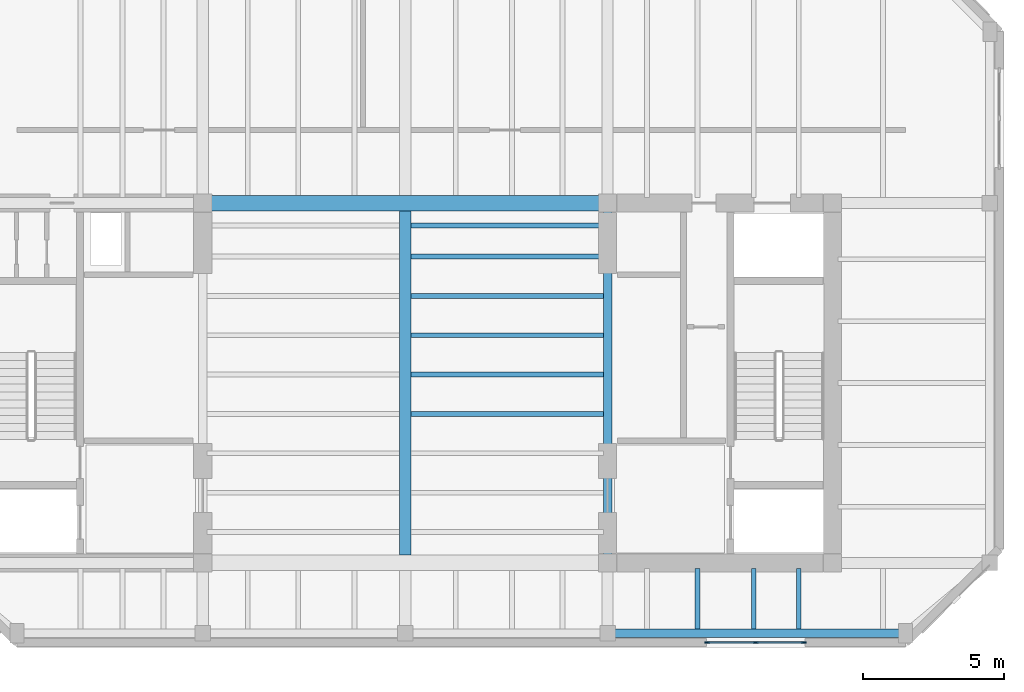
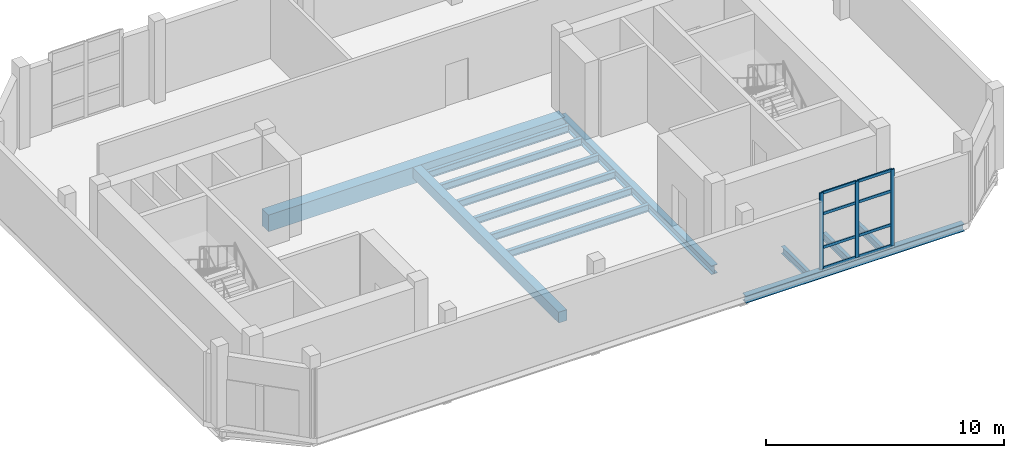
# One storey, part 2 of 8: 13 beams, 11 members, 1 element without a shape of its own.
"""IFC4 building model written with IfcOpenShell, lengths in metres."""

from ifc_helpers import new_model, si_unit, direction, frame, origin, origin_2d, place, context, subcontext, project, spatial, rectangle, i_section, extrude, material, layer, layer_set, material_profile, profile_set, type_object, element, aggregate, save


model = new_model("IFC4")

# Units and contexts
model_context = context("Model", 3, precision=1e-05, world=origin(), true_north=direction((0.0, 1.0)))
body_context = subcontext(model_context, "Body", "Model", "MODEL_VIEW")
ifc_project = project(units=[si_unit("LENGTHUNIT", "METRE"), si_unit("AREAUNIT", "SQUARE_METRE"), si_unit("VOLUMEUNIT", "CUBIC_METRE"), si_unit("PLANEANGLEUNIT", "RADIAN"), si_unit("MASSUNIT", "GRAM", prefix="KILO")], contexts=[model_context])

# Site, building, storey
site_placement = place(None, origin())
site = spatial("IfcSite", under=ifc_project, at=site_placement, CompositionType="ELEMENT")
building_placement = place(site_placement, origin())
building = spatial("IfcBuilding", under=site, at=building_placement, Name="Kranthara Brick Stack", CompositionType="ELEMENT")
storey_placement = place(building_placement, frame((0.0, 0.0, 300.60009765625)))
storey = spatial("IfcBuildingStorey", under=building, at=storey_placement, Name="L79", CompositionType="ELEMENT", Elevation=300.60009765625)

# Beams
ifc_material_1 = material(Name="Concrete C50/60", Category="concrete")
ifc_material_profile_1 = material_profile(ifc_material_1, rectangle(XDim=0.550048828125, YDim=0.85009765625, at=origin_2d()), Name="RC 550x850")
ifc_profile_set_1 = profile_set([ifc_material_profile_1], Name="Concrete C50/60")
beam_type_1 = type_object("IfcBeamType", Name="BM-CPL-RC850", PredefinedType="LINTEL", material=ifc_profile_set_1)
beam_1_placement = place(storey_placement, frame((20.800048828125, 33.60009765625, -0.705078125), z_axis=(1.0, 0.0, 0.0), x_axis=(0.0, 1.0, 0.0)))
element("IfcBeam", 1, at=beam_1_placement, inside=storey, type_object=beam_type_1, Name="L79 Core Coupling Beam 002", PredefinedType="LINTEL", context=body_context, shape_type="SweptSolid", body=[
    extrude(rectangle(XDim=0.550048828125, YDim=0.85009765625, at=origin_2d()), origin(), (0.0, 0.0, 1.0), 14.39990234375),
])
ifc_material_2 = material(Name="Post-tensioned concrete C45/55", Category="concrete")
ifc_material_profile_2 = material_profile(ifc_material_2, rectangle(XDim=0.39990234375, YDim=0.550048828125, at=origin_2d()), Name="PT 400x550")
ifc_profile_set_2 = profile_set([ifc_material_profile_2], Name="Post-tensioned concrete C45/55")
beam_type_2 = type_object("IfcBeamType", Name="BM-FLR-PT550", PredefinedType="BEAM", material=ifc_profile_set_2)
beam_2_placement = place(storey_placement, frame((28.0, 21.074951171875, -0.55517578125), z_axis=(0.0, 1.0, 0.0), x_axis=(-1.0, 0.0, 0.0)))
element("IfcBeam", 2, at=beam_2_placement, inside=storey, type_object=beam_type_2, Name="L79 Central Spine Girder 024", PredefinedType="BEAM", context=body_context, shape_type="SweptSolid", body=[
    extrude(rectangle(XDim=0.39990234375, YDim=0.550048828125, at=origin_2d()), origin(), (0.0, 0.0, 1.0), 12.25),
])
ifc_material_3 = material(Name="Steel S355", Category="steel")
ifc_material_profile_3 = material_profile(ifc_material_3, i_section(OverallWidth=0.169921875, OverallDepth=0.360107421875, WebThickness=0.008056640625, FlangeThickness=0.0126953125, at=origin_2d()), Name="IPE 360")
ifc_profile_set_3 = profile_set([ifc_material_profile_3], Name="Steel S355")
beam_type_3 = type_object("IfcBeamType", Name="BM-JST-IPE360", PredefinedType="JOIST", material=ifc_profile_set_3)
for number, where, z_axis, x_axis, name in (
    (3, (28.199951171875, 26.10009765625, -0.460205078125), (1.0, 0.0, 0.0), (0.0, 1.0, 0.0), "L79 Central Floor Joist 039"),
    (4, (28.199951171875, 27.5, -0.460205078125), (1.0, 0.0, 0.0), (0.0, 1.0, 0.0), "L79 Central Floor Joist 041"),
    (5, (28.199951171875, 28.89990234375, -0.460205078125), (1.0, 0.0, 0.0), (0.0, 1.0, 0.0), "L79 Central Floor Joist 043"),
    (6, (28.199951171875, 30.300048828125, -0.460205078125), (1.0, 0.0, 0.0), (0.0, 1.0, 0.0), "L79 Central Floor Joist 045"),
    (7, (28.199951171875, 31.699951171875, -0.460205078125), (1.0, 0.0, 0.0), (0.0, 1.0, 0.0), "L79 Central Floor Joist 047"),
    (8, (28.199951171875, 32.800048828125, -0.460205078125), (1.0, 0.0, 0.0), (0.0, 1.0, 0.0), "L79 Central Floor Joist 049"),
):
    element("IfcBeam", number, at=place(storey_placement, frame(where, z_axis=z_axis, x_axis=x_axis)), inside=storey, type_object=beam_type_3, Name=name, PredefinedType="JOIST", context=body_context, shape_type="SweptSolid", body=[
        extrude(i_section(OverallWidth=0.169921875, OverallDepth=0.360107421875, WebThickness=0.008056640625, FlangeThickness=0.0126953125, at=origin_2d()), origin(), (0.0, 0.0, 1.0), 6.85009765625),
    ])
for number, where, z_axis, x_axis, name in (
    (9, (38.39990234375, 18.449951171875, -0.460205078125), (0.0, 1.0, 0.0), (-1.0, 0.0, 0.0), "L79 South Wing Floor Joist 070"),
    (10, (40.39990234375, 18.449951171875, -0.460205078125), (0.0, 1.0, 0.0), (-1.0, 0.0, 0.0), "L79 South Wing Floor Joist 072"),
    (11, (42.0, 18.449951171875, -0.460205078125), (0.0, 1.0, 0.0), (-1.0, 0.0, 0.0), "L79 South Wing Floor Joist 074"),
):
    element("IfcBeam", number, at=place(storey_placement, frame(where, z_axis=z_axis, x_axis=x_axis)), inside=storey, type_object=beam_type_3, Name=name, PredefinedType="JOIST", context=body_context, shape_type="SweptSolid", body=[
        extrude(i_section(OverallWidth=0.169921875, OverallDepth=0.360107421875, WebThickness=0.008056640625, FlangeThickness=0.0126953125, at=origin_2d()), origin(), (0.0, 0.0, 1.0), 2.150146484375),
    ])
ifc_material_4 = material(Name="Steel S355", Category="steel")
ifc_material_profile_4 = material_profile(ifc_material_4, i_section(OverallWidth=0.300048828125, OverallDepth=0.360107421875, WebThickness=0.012451171875, FlangeThickness=0.0224609375, at=origin_2d()), Name="HEB 360")
ifc_profile_set_4 = profile_set([ifc_material_profile_4], Name="Steel S355")
beam_type_4 = type_object("IfcBeamType", Name="BM-STL-HEB360", PredefinedType="SPANDREL", material=ifc_profile_set_4)
beam_3_placement = place(storey_placement, frame((35.199951171875, 18.300048828125, -0.460205078125), z_axis=(1.0, 0.0, 0.0), x_axis=(0.0, 1.0, 0.0)))
element("IfcBeam", 12, at=beam_3_placement, inside=storey, type_object=beam_type_4, Name="L79 Perimeter Spandrel Beam 008", PredefinedType="SPANDREL", context=body_context, shape_type="SweptSolid", body=[
    extrude(i_section(OverallWidth=0.300048828125, OverallDepth=0.360107421875, WebThickness=0.012451171875, FlangeThickness=0.0224609375, at=origin_2d()), origin(), (0.0, 0.0, 1.0), 10.60009765625),
])
ifc_material_5 = material(Name="Steel S355", Category="steel")
ifc_material_profile_5 = material_profile(ifc_material_5, i_section(OverallWidth=0.300048828125, OverallDepth=0.449951171875, WebThickness=0.013916015625, FlangeThickness=0.02587890625, at=origin_2d()), Name="HEB 450")
ifc_profile_set_5 = profile_set([ifc_material_profile_5], Name="Steel S355")
beam_type_5 = type_object("IfcBeamType", Name="BM-STL-HEB450", PredefinedType="SPANDREL", material=ifc_profile_set_5)
beam_4_placement = place(storey_placement, frame((35.199951171875, 20.800048828125, -0.505126953125), z_axis=(0.0, 1.0, 0.0), x_axis=(-1.0, 0.0, 0.0)))
element("IfcBeam", 13, at=beam_4_placement, inside=storey, type_object=beam_type_5, Name="L79 Core Edge Tie Beam 004", PredefinedType="SPANDREL", context=body_context, shape_type="SweptSolid", body=[
    extrude(i_section(OverallWidth=0.300048828125, OverallDepth=0.449951171875, WebThickness=0.013916015625, FlangeThickness=0.02587890625, at=origin_2d()), origin(), (0.0, 0.0, 1.0), 12.800048828125),
])

# Curtain wall, members
ifc_material_6 = material(Name="Bronze anodised aluminium and low-E glass", Category="aluminium")
ifc_layer = layer(ifc_material_6, 0.25)
ifc_layer_set = layer_set([ifc_layer], Name="Bronze anodised aluminium and low-E glass")
curtain_wall_type = type_object("IfcCurtainWallType", Name="CW-SYS6-CROWN", PredefinedType="USERDEFINED", material=ifc_layer_set)
curtain_wall_placement = place(storey_placement, origin())
curtain_wall = element("IfcCurtainWall", 14, at=curtain_wall_placement, inside=storey, type_object=curtain_wall_type, Name="L79 Curtain Wall CW6-L79-01", ObjectType="UNITISED CURTAIN WALL", PredefinedType="USERDEFINED")
ifc_material_7 = material(Name="Bronze anodised aluminium 6063-T6", Category="aluminium")
ifc_material_profile_6 = material_profile(ifc_material_7, rectangle(XDim=0.06494140625, YDim=0.179931640625, at=origin_2d()), Name="ALU MULLION 65x180")
ifc_profile_set_6 = profile_set([ifc_material_profile_6], Name="Bronze anodised aluminium 6063-T6")
member_type_1 = type_object("IfcMemberType", Name="CWM-65x180", PredefinedType="MULLION", material=ifc_profile_set_6)
member_1_placement = place(storey_placement, frame((42.180419921875, 17.969970703125, 0.0), z_axis=(0.0, 0.0, 1.0), x_axis=(0.0, -1.0, 0.0)))
member_1 = element("IfcMember", 15, at=member_1_placement, type_object=member_type_1, Name="CW mullion 1", PredefinedType="MULLION", context=body_context, shape_type="SweptSolid", body=[
    extrude(rectangle(XDim=0.06494140625, YDim=0.179931640625, at=origin_2d()), origin(), (0.0, 0.0, 1.0), 3.919921875),
])
member_2_placement = place(storey_placement, frame((40.462890625, 17.969970703125, 0.0), z_axis=(0.0, 0.0, 1.0), x_axis=(0.0, -1.0, 0.0)))
member_2 = element("IfcMember", 16, at=member_2_placement, type_object=member_type_1, Name="CW mullion 2", PredefinedType="MULLION", context=body_context, shape_type="SweptSolid", body=[
    extrude(rectangle(XDim=0.06494140625, YDim=0.179931640625, at=origin_2d()), origin(), (0.0, 0.0, 1.0), 3.919921875),
])
member_3_placement = place(storey_placement, frame((38.74560546875, 17.969970703125, 0.0), z_axis=(0.0, 0.0, 1.0), x_axis=(0.0, -1.0, 0.0)))
member_3 = element("IfcMember", 17, at=member_3_placement, type_object=member_type_1, Name="CW mullion 3", PredefinedType="MULLION", context=body_context, shape_type="SweptSolid", body=[
    extrude(rectangle(XDim=0.06494140625, YDim=0.179931640625, at=origin_2d()), origin(), (0.0, 0.0, 1.0), 3.919921875),
])
ifc_material_8 = material(Name="Bronze anodised aluminium 6063-T6", Category="aluminium")
ifc_material_profile_7 = material_profile(ifc_material_8, rectangle(XDim=0.06494140625, YDim=0.139892578125, at=origin_2d()), Name="ALU TRANSOM 65x140")
ifc_profile_set_7 = profile_set([ifc_material_profile_7], Name="Bronze anodised aluminium 6063-T6")
member_type_2 = type_object("IfcMemberType", Name="CWT-65x140", PredefinedType="USERDEFINED", material=ifc_profile_set_7)
member_4_placement = place(storey_placement, frame((42.14794921875, 17.969970703125, 0.032470703125), z_axis=(-1.0, 0.0, 0.0), x_axis=(0.0, -1.0, 0.0)))
member_4 = element("IfcMember", 18, at=member_4_placement, type_object=member_type_2, Name="CW transom 1.1", ObjectType="TRANSOM", PredefinedType="USERDEFINED", context=body_context, shape_type="SweptSolid", body=[
    extrude(rectangle(XDim=0.06494140625, YDim=0.139892578125, at=origin_2d()), origin(), (0.0, 0.0, 1.0), 1.65234375),
])
member_5_placement = place(storey_placement, frame((42.14794921875, 17.969970703125, 1.097412109375), z_axis=(-1.0, 0.0, 0.0), x_axis=(0.0, -1.0, 0.0)))
member_5 = element("IfcMember", 19, at=member_5_placement, type_object=member_type_2, Name="CW transom 1.2", ObjectType="TRANSOM", PredefinedType="USERDEFINED", context=body_context, shape_type="SweptSolid", body=[
    extrude(rectangle(XDim=0.06494140625, YDim=0.139892578125, at=origin_2d()), origin(), (0.0, 0.0, 1.0), 1.65234375),
])
member_6_placement = place(storey_placement, frame((42.14794921875, 17.969970703125, 2.822265625), z_axis=(-1.0, 0.0, 0.0), x_axis=(0.0, -1.0, 0.0)))
member_6 = element("IfcMember", 20, at=member_6_placement, type_object=member_type_2, Name="CW transom 1.3", ObjectType="TRANSOM", PredefinedType="USERDEFINED", context=body_context, shape_type="SweptSolid", body=[
    extrude(rectangle(XDim=0.06494140625, YDim=0.139892578125, at=origin_2d()), origin(), (0.0, 0.0, 1.0), 1.65234375),
])
member_7_placement = place(storey_placement, frame((42.14794921875, 17.969970703125, 3.887451171875), z_axis=(-1.0, 0.0, 0.0), x_axis=(0.0, -1.0, 0.0)))
member_7 = element("IfcMember", 21, at=member_7_placement, type_object=member_type_2, Name="CW transom 1.4", ObjectType="TRANSOM", PredefinedType="USERDEFINED", context=body_context, shape_type="SweptSolid", body=[
    extrude(rectangle(XDim=0.06494140625, YDim=0.139892578125, at=origin_2d()), origin(), (0.0, 0.0, 1.0), 1.65234375),
])
member_8_placement = place(storey_placement, frame((40.430419921875, 17.969970703125, 0.032470703125), z_axis=(-1.0, 0.0, 0.0), x_axis=(0.0, -1.0, 0.0)))
member_8 = element("IfcMember", 22, at=member_8_placement, type_object=member_type_2, Name="CW transom 2.1", ObjectType="TRANSOM", PredefinedType="USERDEFINED", context=body_context, shape_type="SweptSolid", body=[
    extrude(rectangle(XDim=0.06494140625, YDim=0.139892578125, at=origin_2d()), origin(), (0.0, 0.0, 1.0), 1.65234375),
])
member_9_placement = place(storey_placement, frame((40.430419921875, 17.969970703125, 1.097412109375), z_axis=(-1.0, 0.0, 0.0), x_axis=(0.0, -1.0, 0.0)))
member_9 = element("IfcMember", 23, at=member_9_placement, type_object=member_type_2, Name="CW transom 2.2", ObjectType="TRANSOM", PredefinedType="USERDEFINED", context=body_context, shape_type="SweptSolid", body=[
    extrude(rectangle(XDim=0.06494140625, YDim=0.139892578125, at=origin_2d()), origin(), (0.0, 0.0, 1.0), 1.65234375),
])
member_10_placement = place(storey_placement, frame((40.430419921875, 17.969970703125, 2.822265625), z_axis=(-1.0, 0.0, 0.0), x_axis=(0.0, -1.0, 0.0)))
member_10 = element("IfcMember", 24, at=member_10_placement, type_object=member_type_2, Name="CW transom 2.3", ObjectType="TRANSOM", PredefinedType="USERDEFINED", context=body_context, shape_type="SweptSolid", body=[
    extrude(rectangle(XDim=0.06494140625, YDim=0.139892578125, at=origin_2d()), origin(), (0.0, 0.0, 1.0), 1.65234375),
])
member_11_placement = place(storey_placement, frame((40.430419921875, 17.969970703125, 3.887451171875), z_axis=(-1.0, 0.0, 0.0), x_axis=(0.0, -1.0, 0.0)))
member_11 = element("IfcMember", 25, at=member_11_placement, type_object=member_type_2, Name="CW transom 2.4", ObjectType="TRANSOM", PredefinedType="USERDEFINED", context=body_context, shape_type="SweptSolid", body=[
    extrude(rectangle(XDim=0.06494140625, YDim=0.139892578125, at=origin_2d()), origin(), (0.0, 0.0, 1.0), 1.65234375),
])
aggregate(curtain_wall, [member_1, member_2, member_3, member_4, member_5, member_6, member_7, member_8, member_9, member_10, member_11])

save(model, "model.ifc")
